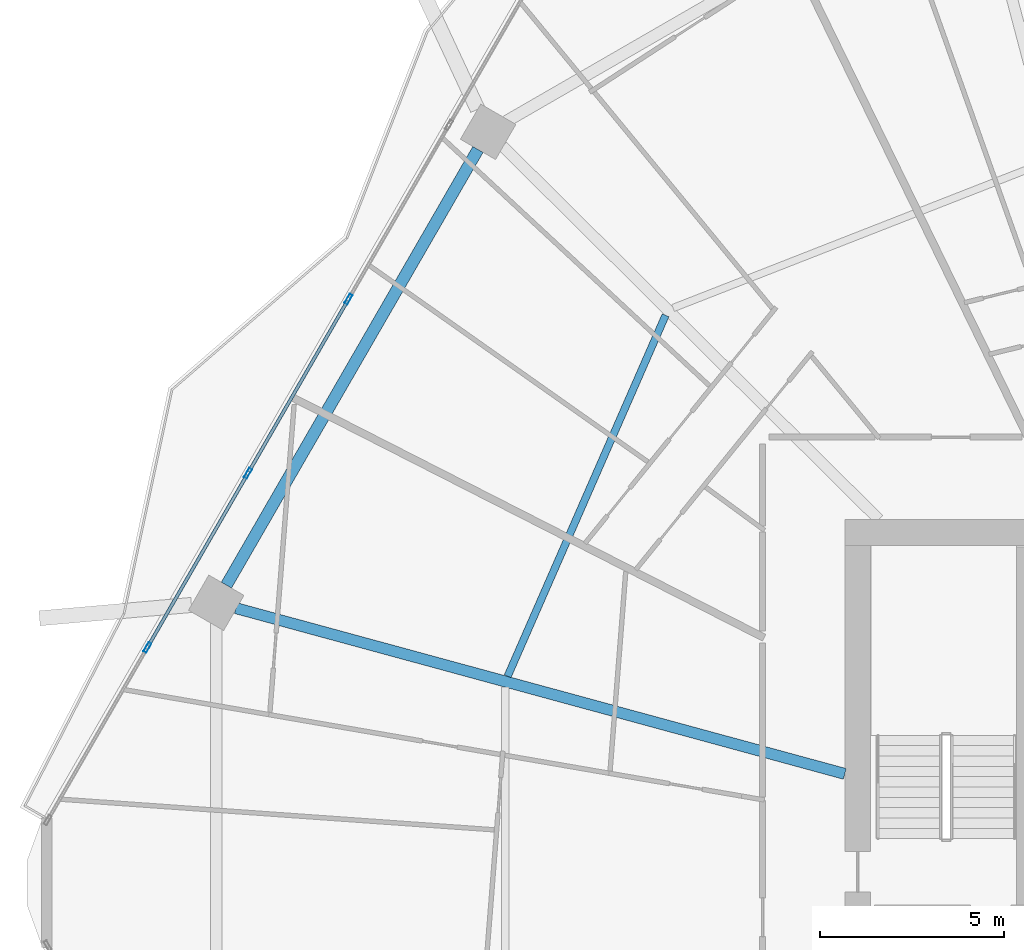
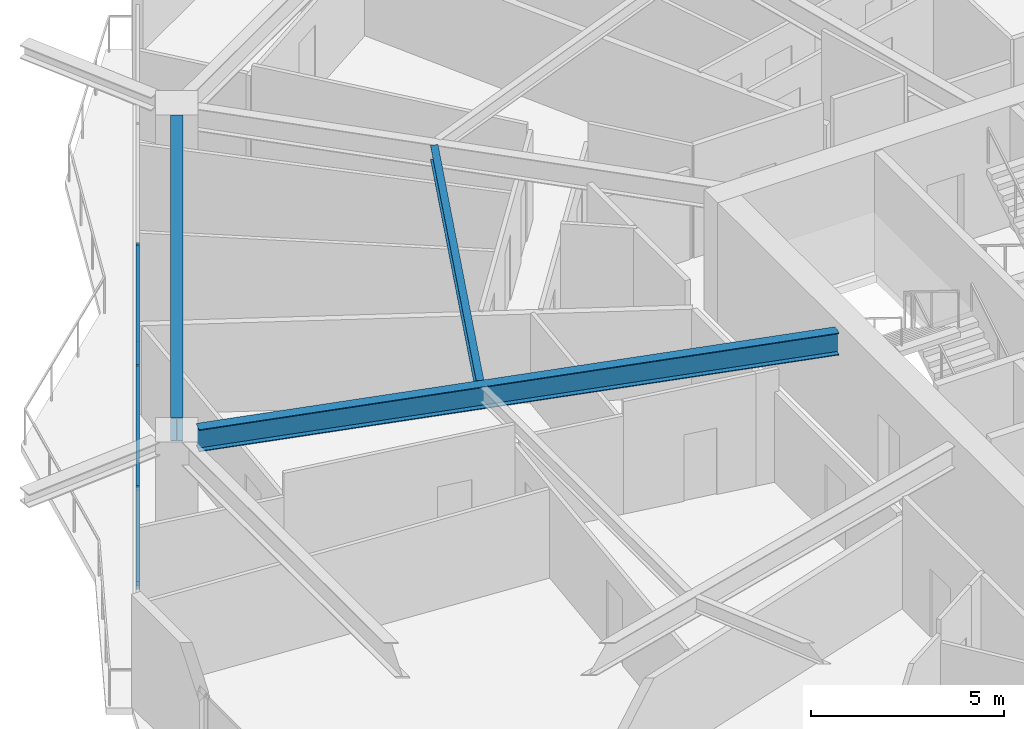
# One storey, part 13 of 32: 7 members, 3 beams, 1 element without a shape of its own.
"""IFC4 building model written with IfcOpenShell, lengths in metres."""

import ifcopenshell
import ifcopenshell.guid

model = None  # the IFC model being written
_history = None  # IfcOwnerHistory: only IFC2X3 demands one
_inside = {}  # id of a spatial element -> (the spatial element, [elements in it])
_under = {}  # id of a project, library or spatial element -> (it, [spatial elements below it])
_declared = {}  # id of a project -> (the project, [libraries it declares])
_typed = {}  # id of a type object -> (the type object, [elements of that type])
_made_of = {}  # id of a material, layer set ... -> (it, [elements and type objects made of it])


def new_model(schema):
    """Start an empty IFC model of exactly this schema.

    Asked for "IFC4X3", IfcOpenShell would pick the latest addendum, in which some entities
    have other attributes; the version numbers below select the first issue.
    IFC2X3 requires an IfcOwnerHistory on every rooted entity: one is made here for all.
    """
    global model, _history
    if schema == "IFC4X3":
        model = ifcopenshell.file(schema_version=(4, 3, 0, 0))
    else:
        model = ifcopenshell.file(schema=schema)
    _inside.clear()
    _under.clear()
    _declared.clear()
    _typed.clear()
    _made_of.clear()
    _history = None
    if model.schema == "IFC2X3":
        org = make("IfcOrganization", Name="unknown")
        user = make(
            "IfcPersonAndOrganization",
            ThePerson=make("IfcPerson", FamilyName="unknown"),
            TheOrganization=org,
        )
        app = make(
            "IfcApplication",
            ApplicationDeveloper=org,
            Version="unknown",
            ApplicationFullName="unknown",
            ApplicationIdentifier="unknown",
        )
        _history = make(
            "IfcOwnerHistory",
            OwningUser=user,
            OwningApplication=app,
            ChangeAction="ADDED",
            CreationDate=0,
        )
    return model


def make(cls, **values):
    """One entity of the class cls with the attributes given. An attribute that is None is left unset."""
    return model.create_entity(
        cls, **{name: value for name, value in values.items() if value is not None}
    )


def rooted(cls, **values):
    """An entity with a GlobalId (a new one), such as an element, a storey or a relation."""
    return make(cls, GlobalId=ifcopenshell.guid.new(), OwnerHistory=_history, **values)


def si_unit(unit_type, name, prefix=None):
    """IfcSIUnit, for example si_unit("LENGTHUNIT", "METRE", prefix="MILLI")."""
    return make("IfcSIUnit", UnitType=unit_type, Prefix=prefix, Name=name)


def assignment(units):
    """IfcUnitAssignment: the units of a project."""
    return None if units is None else make("IfcUnitAssignment", Units=units)


def point(xyz):
    """IfcCartesianPoint."""
    return None if xyz is None else make("IfcCartesianPoint", Coordinates=xyz)


def direction(xyz):
    """IfcDirection."""
    return None if xyz is None else make("IfcDirection", DirectionRatios=xyz)


def frame(location, z_axis=None, x_axis=None):
    """IfcAxis2Placement3D, a coordinate frame: its origin and axes. An axis left out is left unset."""
    return make(
        "IfcAxis2Placement3D",
        Location=point(location),
        Axis=direction(z_axis),
        RefDirection=direction(x_axis),
    )


def frame_2d(location, x_axis=None):
    """IfcAxis2Placement2D, a coordinate frame in the plane: its origin and x axis."""
    return make(
        "IfcAxis2Placement2D", Location=point(location), RefDirection=direction(x_axis)
    )


def origin():
    """The frame at (0, 0, 0) with its axes left unset."""
    return frame((0.0, 0.0, 0.0))


def origin_2d():
    """The frame at (0, 0) in the plane with its x axis left unset."""
    return frame_2d((0.0, 0.0))


def place(relative_to, where):
    """IfcLocalPlacement: puts the frame where relative to a parent placement (None: the world)."""
    return make(
        "IfcLocalPlacement", PlacementRelTo=relative_to, RelativePlacement=where
    )


def context(
    kind, dimensions, precision=None, world=None, true_north=None, identifier=None
):
    """IfcGeometricRepresentationContext, for example the 3D "Model" context."""
    return make(
        "IfcGeometricRepresentationContext",
        ContextIdentifier=identifier,
        ContextType=kind,
        CoordinateSpaceDimension=dimensions,
        Precision=precision,
        WorldCoordinateSystem=world,
        TrueNorth=true_north,
    )


def subcontext(parent, identifier, kind, view, scale=None):
    """IfcGeometricRepresentationSubContext, for example "Body" below "Model"."""
    return make(
        "IfcGeometricRepresentationSubContext",
        ContextIdentifier=identifier,
        ContextType=kind,
        ParentContext=parent,
        TargetScale=scale,
        TargetView=view,
    )


def project(units=None, contexts=None):
    """IfcProject with its units and contexts."""
    return rooted(
        "IfcProject",
        Name="project",
        RepresentationContexts=contexts,
        UnitsInContext=assignment(units),
    )


def spatial(cls, under=None, at=None, **own):
    """A site, building, storey or space (cls), placed at a placement, below another one or the project."""
    s = rooted(cls, ObjectPlacement=at, **own)
    if under is not None:
        _under.setdefault(under.id(), (under, []))[1].append(s)
    return s


def profile(cls, at=None, kind="AREA", **sizes):
    """A parametric profile (cls). Its sizes go by their IFC names, for example OverallWidth=200.0."""
    return make(cls, ProfileType=kind, Position=at, **sizes)


def hollow_rectangle(**sizes):
    """IfcRectangleHollowProfileDef."""
    return profile("IfcRectangleHollowProfileDef", **sizes)


def i_section(**sizes):
    """IfcIShapeProfileDef."""
    return profile("IfcIShapeProfileDef", **sizes)


def extrude(swept, where, along, depth):
    """IfcExtrudedAreaSolid: the profile swept, set in the frame where, extruded along a direction by depth."""
    return make(
        "IfcExtrudedAreaSolid",
        SweptArea=swept,
        Position=where,
        ExtrudedDirection=direction(along),
        Depth=depth,
    )


def shape(context_of_items, identifier, shape_type, items):
    """IfcShapeRepresentation: the items that make up one representation, for example the "Body"."""
    return make(
        "IfcShapeRepresentation",
        ContextOfItems=context_of_items,
        RepresentationIdentifier=identifier,
        RepresentationType=shape_type,
        Items=items,
    )


def material(Name=None, Category=None):
    """IfcMaterial."""
    return make("IfcMaterial", Name=Name, Category=Category)


def material_profile(
    of_material, cross_section, Name=None, Category=None, Priority=None
):
    """IfcMaterialProfile: a cross section and its material."""
    return make(
        "IfcMaterialProfile",
        Name=Name,
        Material=of_material,
        Profile=cross_section,
        Priority=Priority,
        Category=Category,
    )


def profile_set(profiles, Name=None, composite=None):
    """IfcMaterialProfileSet."""
    return make(
        "IfcMaterialProfileSet",
        Name=Name,
        MaterialProfiles=profiles,
        CompositeProfile=composite,
    )


def made_of(thing, what):
    """Note that an element or type object is made of a material, layer set ...; save() writes the relation."""
    if what is not None:
        _made_of.setdefault(what.id(), (what, []))[1].append(thing)
    return thing


def type_object(cls, material=None, **own):
    """A type object (cls), such as IfcWallType, which elements share."""
    return made_of(rooted(cls, **own), material)


def element(
    cls,
    number,
    at=None,
    inside=None,
    cuts=None,
    type_object=None,
    material=None,
    context=None,
    identifier="Body",
    shape_type=None,
    held_by="IfcProductDefinitionShape",
    body=None,
    shapes=None,
    **own,
):
    """One element of the class cls, such as IfcWall. Its Tag is "e" and its number.

    at: its placement. inside: the storey or other place that contains it. cuts: it is an
    opening in that element (IfcRelVoidsElement). A single representation is given by context,
    identifier, shape_type and body (its items); several are given by shapes. held_by: the class
    of the entity that holds the representations. save() writes the other relations.
    """
    e = rooted(cls, Tag="e%d" % number, ObjectPlacement=at, **own)
    if body is not None:
        shapes = [shape(context, identifier, shape_type, body)]
    if shapes is not None:
        e.Representation = make(held_by, Representations=shapes)
    if inside is not None:
        _inside.setdefault(inside.id(), (inside, []))[1].append(e)
    if cuts is not None:
        rooted(
            "IfcRelVoidsElement", RelatingBuildingElement=cuts, RelatedOpeningElement=e
        )
    if type_object is not None:
        _typed.setdefault(type_object.id(), (type_object, []))[1].append(e)
    return made_of(e, material)


def aggregate(whole, parts):
    """IfcRelAggregates: a whole, such as a stair, and the parts it consists of."""
    return rooted("IfcRelAggregates", RelatingObject=whole, RelatedObjects=parts)


def save(model, path):
    """Write the relations noted so far, then the file.

    IfcRelAggregates (storeys below a building ...), IfcRelContainedInSpatialStructure (elements
    in a storey), IfcRelDefinesByType, IfcRelAssociatesMaterial and IfcRelDeclares: one each for
    every whole, place, type object, material and project.
    """
    for whole, parts in _under.values():
        aggregate(whole, parts)
    for where, things in _inside.values():
        rooted(
            "IfcRelContainedInSpatialStructure",
            RelatedElements=things,
            RelatingStructure=where,
        )
    for kind, things in _typed.values():
        rooted("IfcRelDefinesByType", RelatedObjects=things, RelatingType=kind)
    for what, things in _made_of.values():
        rooted("IfcRelAssociatesMaterial", RelatedObjects=things, RelatingMaterial=what)
    for by, libraries in _declared.values():
        rooted("IfcRelDeclares", RelatingContext=by, RelatedDefinitions=libraries)
    model.write(path)


model = new_model("IFC4")

# Units and contexts
model_context = context("Model", 3, precision=1e-05, world=origin(), true_north=direction((0.0, 1.0)))
body_context = subcontext(model_context, "Body", "Model", "MODEL_VIEW")
ifc_project = project(units=[si_unit("LENGTHUNIT", "METRE"), si_unit("AREAUNIT", "SQUARE_METRE"), si_unit("VOLUMEUNIT", "CUBIC_METRE"), si_unit("PLANEANGLEUNIT", "RADIAN"), si_unit("MASSUNIT", "GRAM", prefix="KILO")], contexts=[model_context])

# Site, building, storey
site_placement = place(None, origin())
site = spatial("IfcSite", under=ifc_project, at=site_placement, CompositionType="ELEMENT")
building_placement = place(site_placement, origin())
building = spatial("IfcBuilding", under=site, at=building_placement, Name="Zuhravey Tower", CompositionType="ELEMENT")
storey_placement = place(building_placement, frame((0.0, 0.0, 119.0)))
storey = spatial("IfcBuildingStorey", under=building, at=storey_placement, Name="L29", CompositionType="ELEMENT", Elevation=119.0)

# Curtain wall, members
ifc_material_1 = material(Name="Thermally broken anodised aluminium", Category="aluminium")
curtain_wall_type = type_object("IfcCurtainWallType", Name="Zone 1-2 Residential Curtain Wall CW3", PredefinedType="NOTDEFINED", material=ifc_material_1)
curtain_wall_placement = place(storey_placement, origin())
curtain_wall = element("IfcCurtainWall", 1, at=curtain_wall_placement, inside=storey, type_object=curtain_wall_type, Name="L29 CW3 CW-L29-F3-1", PredefinedType="NOTDEFINED")
ifc_material_2 = material(Name="Anodised aluminium", Category="aluminium")
ifc_material_profile_1 = material_profile(ifc_material_2, hollow_rectangle(XDim=0.090087890625, YDim=0.284912109375, WallThickness=0.0048828125, at=origin_2d()), Name="ALU-RHS-90x285x5")
ifc_profile_set_1 = profile_set([ifc_material_profile_1], Name="Anodised aluminium")
member_type_1 = type_object("IfcMemberType", Name="Curtain-Wall Mullion 90x180", PredefinedType="MULLION", material=ifc_profile_set_1)
member_1_placement = place(storey_placement, frame((6.246337890625, 38.382080078125, 0.0), z_axis=(0.0, 0.0, 1.0), x_axis=(-0.866025163156, 0.500000416781, 0.0)))
member_1 = element("IfcMember", 2, at=member_1_placement, type_object=member_type_1, Name="CW3 mullion 2", PredefinedType="MULLION", context=body_context, shape_type="SweptSolid", body=[
    extrude(hollow_rectangle(XDim=0.090087890625, YDim=0.284912109375, WallThickness=0.0048828125, at=origin_2d()), origin(), (0.0, 0.0, 1.0), 3.1220703125),
])
member_2_placement = place(storey_placement, frame((8.97119140625, 43.101806640625, 0.0), z_axis=(0.0, 0.0, 1.0), x_axis=(-0.866025163156, 0.500000416781, 0.0)))
member_2 = element("IfcMember", 3, at=member_2_placement, type_object=member_type_1, Name="CW3 mullion 3", PredefinedType="MULLION", context=body_context, shape_type="SweptSolid", body=[
    extrude(hollow_rectangle(XDim=0.090087890625, YDim=0.284912109375, WallThickness=0.0048828125, at=origin_2d()), origin(), (0.0, 0.0, 1.0), 3.1220703125),
])
member_3_placement = place(storey_placement, frame((11.6962890625, 47.821533203125, 0.0), z_axis=(0.0, 0.0, 1.0), x_axis=(-0.866025163156, 0.500000416781, 0.0)))
member_3 = element("IfcMember", 4, at=member_3_placement, type_object=member_type_1, Name="CW3 mullion 4", PredefinedType="MULLION", context=body_context, shape_type="SweptSolid", body=[
    extrude(hollow_rectangle(XDim=0.090087890625, YDim=0.284912109375, WallThickness=0.0048828125, at=origin_2d()), origin(), (0.0, 0.0, 1.0), 3.1220703125),
])
ifc_material_profile_2 = material_profile(ifc_material_2, hollow_rectangle(XDim=0.090087890625, YDim=0.14990234375, WallThickness=0.0048828125, at=origin_2d()), Name="ALU-RHS-90x150x5")
ifc_profile_set_2 = profile_set([ifc_material_profile_2], Name="Anodised aluminium")
member_type_2 = type_object("IfcMemberType", Name="Curtain-Wall Transom 90x150", PredefinedType="USERDEFINED", material=ifc_profile_set_2)
member_4_placement = place(storey_placement, frame((6.268798828125, 38.421142578125, 0.044921875), z_axis=(0.500014235175, 0.866017184946, 0.0), x_axis=(-0.866017184946, 0.500014235175, 0.0)))
member_4 = element("IfcMember", 5, at=member_4_placement, type_object=member_type_2, Name="CW3 transom 2.1", ObjectType="TRANSOM", PredefinedType="USERDEFINED", context=body_context, shape_type="SweptSolid", body=[
    extrude(hollow_rectangle(XDim=0.090087890625, YDim=0.14990234375, WallThickness=0.0048828125, at=origin_2d()), origin(), (0.0, 0.0, 1.0), 5.359619140625),
])
member_5_placement = place(storey_placement, frame((6.268798828125, 38.421142578125, 3.076904296875), z_axis=(0.500014235175, 0.866017184946, 0.0), x_axis=(-0.866017184946, 0.500014235175, 0.0)))
member_5 = element("IfcMember", 6, at=member_5_placement, type_object=member_type_2, Name="CW3 transom 2.2", ObjectType="TRANSOM", PredefinedType="USERDEFINED", context=body_context, shape_type="SweptSolid", body=[
    extrude(hollow_rectangle(XDim=0.090087890625, YDim=0.14990234375, WallThickness=0.0048828125, at=origin_2d()), origin(), (0.0, 0.0, 1.0), 5.359619140625),
])
member_6_placement = place(storey_placement, frame((8.993896484375, 43.140869140625, 0.044921875), z_axis=(0.499980071345, 0.866036909293, 0.0), x_axis=(-0.866036909293, 0.499980071345, 0.0)))
member_6 = element("IfcMember", 7, at=member_6_placement, type_object=member_type_2, Name="CW3 transom 3.1", ObjectType="TRANSOM", PredefinedType="USERDEFINED", context=body_context, shape_type="SweptSolid", body=[
    extrude(hollow_rectangle(XDim=0.090087890625, YDim=0.14990234375, WallThickness=0.0048828125, at=origin_2d()), origin(), (0.0, 0.0, 1.0), 5.359619140625),
])
member_7_placement = place(storey_placement, frame((8.993896484375, 43.140869140625, 3.076904296875), z_axis=(0.499980071345, 0.866036909293, 0.0), x_axis=(-0.866036909293, 0.499980071345, 0.0)))
member_7 = element("IfcMember", 8, at=member_7_placement, type_object=member_type_2, Name="CW3 transom 3.2", ObjectType="TRANSOM", PredefinedType="USERDEFINED", context=body_context, shape_type="SweptSolid", body=[
    extrude(hollow_rectangle(XDim=0.090087890625, YDim=0.14990234375, WallThickness=0.0048828125, at=origin_2d()), origin(), (0.0, 0.0, 1.0), 5.359619140625),
])
aggregate(curtain_wall, [member_1, member_2, member_3, member_4, member_5, member_6, member_7])

# Beams
ifc_material_3 = material(Name="Steel SM355", Category="steel")
ifc_material_profile_3 = material_profile(ifc_material_3, i_section(OverallWidth=0.320068359375, OverallDepth=0.75, WebThickness=0.013916015625, FlangeThickness=0.02490234375, at=origin_2d()), Name="H-750x320x14x25")
ifc_profile_set_3 = profile_set([ifc_material_profile_3], Name="Steel SM355")
beam_type_1 = type_object("IfcBeamType", Name="Perimeter Ring Beam H750x320", PredefinedType="BEAM", material=ifc_profile_set_3)
beam_1_placement = place(storey_placement, frame((15.20458984375, 51.8779296875, 3.175048828125), z_axis=(-0.500008177929, -0.866020682204, 0.0), x_axis=(0.866020682204, -0.500008177929, 0.0)))
element("IfcBeam", 9, at=beam_1_placement, inside=storey, type_object=beam_type_1, Name="L29 PB1 BM-L29-PB-05", PredefinedType="BEAM", context=body_context, shape_type="SweptSolid", body=[
    extrude(i_section(OverallWidth=0.320068359375, OverallDepth=0.75, WebThickness=0.013916015625, FlangeThickness=0.02490234375, at=origin_2d()), origin(), (0.0, 0.0, 1.0), 13.634033203125),
])
ifc_material_profile_4 = material_profile(ifc_material_3, i_section(OverallWidth=0.300048828125, OverallDepth=0.699951171875, WebThickness=0.012939453125, FlangeThickness=0.02392578125, at=origin_2d()), Name="H-700x300x13x24")
ifc_profile_set_4 = profile_set([ifc_material_profile_4], Name="Steel SM355")
beam_type_2 = type_object("IfcBeamType", Name="Radial Primary Girder H700x300", PredefinedType="BEAM", material=ifc_profile_set_4)
beam_2_placement = place(storey_placement, frame((25.14697265625, 34.954345703125, 3.199951171875), z_axis=(-0.964893166225, 0.262642680791, 0.0), x_axis=(-0.262642680791, -0.964893166225, 0.0)))
element("IfcBeam", 10, at=beam_2_placement, inside=storey, type_object=beam_type_2, Name="L29 RG1 BM-L29-RAD-06", PredefinedType="BEAM", context=body_context, shape_type="SweptSolid", body=[
    extrude(i_section(OverallWidth=0.300048828125, OverallDepth=0.699951171875, WebThickness=0.012939453125, FlangeThickness=0.02392578125, at=origin_2d()), origin(), (0.0, 0.0, 1.0), 17.102783203125),
])
ifc_material_profile_5 = material_profile(ifc_material_3, i_section(OverallWidth=0.199951171875, OverallDepth=0.449951171875, WebThickness=0.009033203125, FlangeThickness=0.013916015625, at=origin_2d()), Name="H-450x200x9x14")
ifc_profile_set_5 = profile_set([ifc_material_profile_5], Name="Steel SM355")
beam_type_3 = type_object("IfcBeamType", Name="Secondary Floor Joist H450x200", PredefinedType="JOIST", material=ifc_profile_set_5)
beam_3_placement = place(storey_placement, frame((20.28955078125, 47.384033203125, 3.324951171875), z_axis=(-0.400786454617, -0.916171500209, 0.0), x_axis=(0.916171500209, -0.400786454617, 0.0)))
element("IfcBeam", 11, at=beam_3_placement, inside=storey, type_object=beam_type_3, Name="L29 SJ1 BM-L29-SJ-05-1", PredefinedType="JOIST", context=body_context, shape_type="SweptSolid", body=[
    extrude(i_section(OverallWidth=0.199951171875, OverallDepth=0.449951171875, WebThickness=0.009033203125, FlangeThickness=0.013916015625, at=origin_2d()), origin(), (0.0, 0.0, 1.0), 10.6796875),
])

save(model, "model.ifc")
